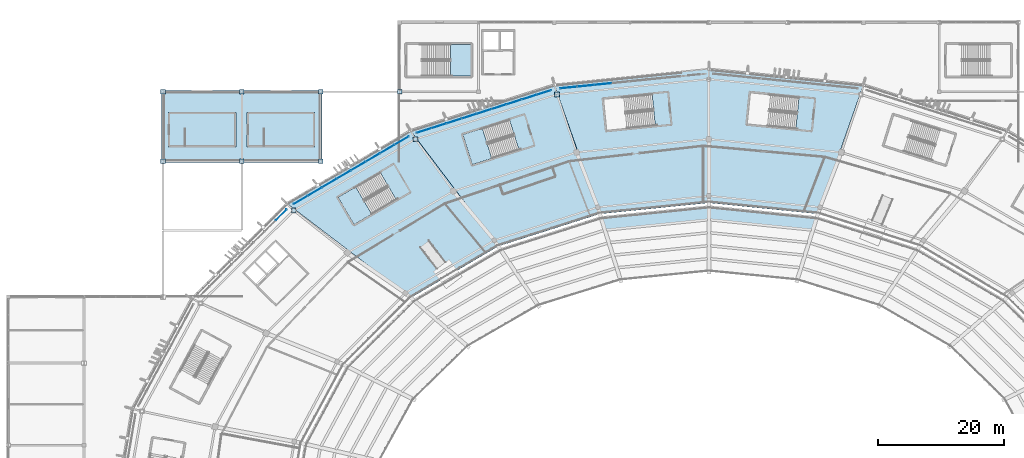
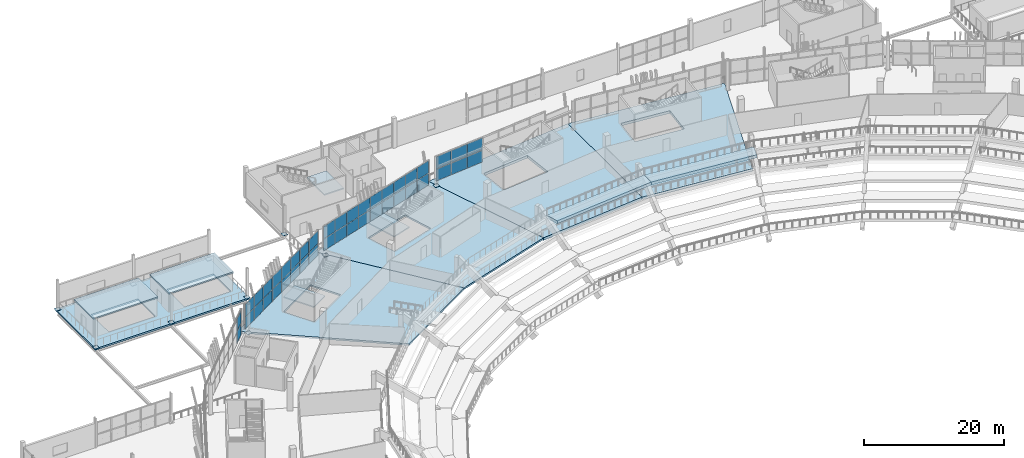
# One storey, part 100 of 178: 52 plates, 12 slabs, 7 elements without a shape of their own.
"""IFC4 building model written with IfcOpenShell, lengths in metres."""

from ifc_helpers import new_model, si_unit, direction, frame, origin, origin_2d, place, context, subcontext, project, spatial, polyline, rectangle, outline, extrude, material, layer, layer_set, type_object, element, aggregate, save


model = new_model("IFC4")

# Units and contexts
model_context = context("Model", 3, precision=1e-05, world=origin(), true_north=direction((0.0, 1.0)))
body_context = subcontext(model_context, "Body", "Model", "MODEL_VIEW")
ifc_project = project(units=[si_unit("LENGTHUNIT", "METRE"), si_unit("AREAUNIT", "SQUARE_METRE"), si_unit("VOLUMEUNIT", "CUBIC_METRE"), si_unit("PLANEANGLEUNIT", "RADIAN"), si_unit("MASSUNIT", "GRAM", prefix="KILO")], contexts=[model_context])

# Site, building, storey
site_placement = place(None, origin())
site = spatial("IfcSite", under=ifc_project, at=site_placement, CompositionType="ELEMENT")
building_placement = place(site_placement, origin())
building = spatial("IfcBuilding", under=site, at=building_placement, Name="Zlatoyarsky Gate Stadium", CompositionType="ELEMENT")
storey_placement = place(building_placement, frame((0.0, 0.0, 5.39990234375)))
storey = spatial("IfcBuildingStorey", under=building, at=storey_placement, Name="L01", CompositionType="ELEMENT", Elevation=5.39990234375)

# Curtain wall, plates
ifc_material_1 = material(Name="Thermally broken anodised aluminium curtain wall", Category="aluminium")
curtain_wall_type_1 = type_object("IfcCurtainWallType", Name="MONUMENTAL ARCHED GATE GLAZING LOWER", PredefinedType="USERDEFINED", material=ifc_material_1)
curtain_wall_1_placement = place(storey_placement, origin())
curtain_wall_1 = element("IfcCurtainWall", 1, at=curtain_wall_1_placement, inside=storey, type_object=curtain_wall_type_1, Name="Curtain wall CW-L01-06", ObjectType="ARCHED GATE GLAZING", PredefinedType="USERDEFINED")
ifc_material_2 = material(Name="Triple-glazed argon low-e architectural glass", Category="glass")
ifc_layer_1 = layer(ifc_material_2, 0.0458984375)
ifc_layer_set_1 = layer_set([ifc_layer_1], Name="Triple-glazed argon low-e architectural glass")
plate_type_1 = type_object("IfcPlateType", Name="ACOUSTIC LAMINATED GATE GLAZING PANEL 46", PredefinedType="CURTAIN_PANEL", material=ifc_layer_set_1)
plate_1_placement = place(storey_placement, frame((94.209716796875, 150.2158203125, 0.074951171875), z_axis=(0.0, 0.0, 1.0), x_axis=(-0.994956958498, -0.100302795257, 0.0)))
plate_1 = element("IfcPlate", 2, at=plate_1_placement, type_object=plate_type_1, Name="CW-AG1 panel 5.1", PredefinedType="CURTAIN_PANEL", context=body_context, shape_type="SweptSolid", body=[
    extrude(rectangle(XDim=2.686279296875, YDim=0.0458984375, at=origin_2d()), origin(), (0.0, 0.0, 1.0), 2.03759765625),
])
plate_2_placement = place(storey_placement, frame((94.209716796875, 150.2158203125, 2.1875), z_axis=(0.0, 0.0, 1.0), x_axis=(-0.994956958498, -0.100302795257, 0.0)))
plate_2 = element("IfcPlate", 3, at=plate_2_placement, type_object=plate_type_1, Name="CW-AG1 panel 5.2", PredefinedType="CURTAIN_PANEL", context=body_context, shape_type="SweptSolid", body=[
    extrude(rectangle(XDim=2.686279296875, YDim=0.0458984375, at=origin_2d()), origin(), (0.0, 0.0, 1.0), 2.137451171875),
])
plate_3_placement = place(storey_placement, frame((91.46240234375, 149.93896484375, 0.074951171875), z_axis=(0.0, 0.0, 1.0), x_axis=(-0.994956958498, -0.100302795257, 0.0)))
plate_3 = element("IfcPlate", 4, at=plate_3_placement, type_object=plate_type_1, Name="CW-AG1 panel 6.1", PredefinedType="CURTAIN_PANEL", context=body_context, shape_type="SweptSolid", body=[
    extrude(rectangle(XDim=2.686279296875, YDim=0.0458984375, at=origin_2d()), origin(), (0.0, 0.0, 1.0), 2.03759765625),
])
plate_4_placement = place(storey_placement, frame((91.46240234375, 149.93896484375, 2.1875), z_axis=(0.0, 0.0, 1.0), x_axis=(-0.994956958498, -0.100302795257, 0.0)))
plate_4 = element("IfcPlate", 5, at=plate_4_placement, type_object=plate_type_1, Name="CW-AG1 panel 6.2", PredefinedType="CURTAIN_PANEL", context=body_context, shape_type="SweptSolid", body=[
    extrude(rectangle(XDim=2.686279296875, YDim=0.0458984375, at=origin_2d()), origin(), (0.0, 0.0, 1.0), 2.137451171875),
])
plate_5_placement = place(storey_placement, frame((88.733642578125, 149.663818359375, 0.074951171875), z_axis=(0.0, 0.0, 1.0), x_axis=(-0.994956958498, -0.100302795257, 0.0)))
plate_5 = element("IfcPlate", 6, at=plate_5_placement, type_object=plate_type_1, Name="CW-AG1 panel 7.1", PredefinedType="CURTAIN_PANEL", context=body_context, shape_type="SweptSolid", body=[
    extrude(rectangle(XDim=2.648681640625, YDim=0.0458984375, at=origin_2d()), origin(), (0.0, 0.0, 1.0), 2.03759765625),
])
plate_6_placement = place(storey_placement, frame((88.733642578125, 149.663818359375, 2.1875), z_axis=(0.0, 0.0, 1.0), x_axis=(-0.994956958498, -0.100302795257, 0.0)))
plate_6 = element("IfcPlate", 7, at=plate_6_placement, type_object=plate_type_1, Name="CW-AG1 panel 7.2", PredefinedType="CURTAIN_PANEL", context=body_context, shape_type="SweptSolid", body=[
    extrude(rectangle(XDim=2.648681640625, YDim=0.0458984375, at=origin_2d()), origin(), (0.0, 0.0, 1.0), 2.137451171875),
])
aggregate(curtain_wall_1, [plate_1, plate_2, plate_3, plate_4, plate_5, plate_6])

# Slabs
ifc_material_3 = material(Name="Concrete C40/50", Category="concrete")
ifc_layer_2 = layer(ifc_material_3, 0.300048828125)
ifc_layer_set_2 = layer_set([ifc_layer_2], Name="Concrete C40/50")
slab_type_1 = type_object("IfcSlabType", Name="CONCRETE CONCOURSE SLAB 300", PredefinedType="FLOOR", material=ifc_layer_set_2)
slab_1_placement = place(storey_placement, frame((0.0, 0.0, -0.2998046875)))
element("IfcSlab", 8, at=slab_1_placement, inside=storey, type_object=slab_type_1, Name="L01 bowl sector 07 slab", PredefinedType="FLOOR", context=body_context, shape_type="SweptSolid", body=[
    extrude(outline(polyline([(77.60009765625, 124.513671875), (63.69580078125, 142.880859375), (86.513427734375, 150.134521484375), (93.7109375, 129.648681640625), (77.60009765625, 124.513671875)]), holes=[polyline([(79.39990234375, 144.562255859375), (72.0107421875, 142.2255859375), (73.518310546875, 137.458251953125), (80.90771484375, 139.794921875), (79.39990234375, 144.562255859375)])]), origin(), (0.0, 0.0, 1.0), 0.2998046875),
])
slab_2_placement = place(storey_placement, frame((0.0, 0.0, -0.2998046875)))
element("IfcSlab", 9, at=slab_2_placement, inside=storey, type_object=slab_type_1, Name="L01 bowl sector 08 slab", PredefinedType="FLOOR", context=body_context, shape_type="SweptSolid", body=[
    extrude(outline(polyline([(63.765380859375, 116.34521484375), (44.101806640625, 131.342041015625), (63.69580078125, 142.880859375), (77.60009765625, 124.513671875), (63.765380859375, 116.34521484375)]), holes=[polyline([(61.461669921875, 131.89013671875), (58.934326171875, 136.204345703125), (52.247314453125, 132.287109375), (54.774658203125, 127.972900390625), (61.461669921875, 131.89013671875)])]), origin(), (0.0, 0.0, 1.0), 0.2998046875),
])
slab_3_placement = place(storey_placement, frame((0.0, 0.0, -0.2998046875)))
element("IfcSlab", 10, at=slab_3_placement, inside=storey, type_object=slab_type_1, Name="L01 wing V6_NW slab", PredefinedType="FLOOR", context=body_context, shape_type="SweptSolid", body=[
    extrude(outline(polyline([(49.739990234375, 149.239990234375), (49.739990234375, 137.760009765625), (24.260009765625, 137.760009765625), (24.260009765625, 149.239990234375), (49.739990234375, 149.239990234375)]), holes=[polyline([(28.050048828125, 140.5), (35.800048828125, 140.5), (35.800048828125, 145.5), (28.050048828125, 145.5), (28.050048828125, 140.5)]), polyline([(48.300048828125, 140.5), (48.300048828125, 145.5), (40.550048828125, 145.5), (40.550048828125, 140.5), (48.300048828125, 140.5)])]), origin(), (0.0, 0.0, 1.0), 0.2998046875),
])
ifc_layer_3 = layer(ifc_material_3, 0.239990234375)
ifc_layer_set_3 = layer_set([ifc_layer_3], Name="Concrete C40/50")
slab_type_2 = type_object("IfcSlabType", Name="CONCRETE CORE TOP CAP SLAB 240", PredefinedType="ROOF", material=ifc_layer_set_3)
slab_4_placement = place(storey_placement, frame((0.0, 0.0, 3.2001953125)))
element("IfcSlab", 11, at=slab_4_placement, inside=storey, type_object=slab_type_2, Name="ST-25 stair headhouse roof cap", PredefinedType="ROOF", context=body_context, shape_type="SweptSolid", body=[
    extrude(outline(polyline([(25.35009765625, 140.25), (36.050048828125, 140.25), (36.050048828125, 145.75), (25.35009765625, 145.75), (25.35009765625, 140.25)])), origin(), (0.0, 0.0, 1.0), 0.239990234375),
])
slab_5_placement = place(storey_placement, frame((0.0, 0.0, 3.2001953125)))
element("IfcSlab", 12, at=slab_5_placement, inside=storey, type_object=slab_type_2, Name="ST-26 stair headhouse roof cap", PredefinedType="ROOF", context=body_context, shape_type="SweptSolid", body=[
    extrude(outline(polyline([(37.85009765625, 140.25), (48.550048828125, 140.25), (48.550048828125, 145.75), (37.85009765625, 145.75), (37.85009765625, 140.25)])), origin(), (0.0, 0.0, 1.0), 0.239990234375),
])
ifc_layer_4 = layer(ifc_material_3, 0.4599609375)
ifc_layer_set_4 = layer_set([ifc_layer_4], Name="Concrete C40/50")
slab_type_3 = type_object("IfcSlabType", Name="CONCRETE PORTAL TRANSFER SLAB 460", PredefinedType="USERDEFINED", material=ifc_layer_set_4)
slab_6_placement = place(storey_placement, frame((0.0, 0.0, -0.4599609375)))
element("IfcSlab", 13, at=slab_6_placement, inside=storey, type_object=slab_type_3, Name="L01 bowl sector 05 slab", ObjectType="TRANSFER SLAB", PredefinedType="USERDEFINED", context=body_context, shape_type="SweptSolid", body=[
    extrude(outline(polyline([(111.0, 131.39990234375), (111.0, 152.6083984375), (135.486572265625, 150.134521484375), (128.2890625, 129.648681640625), (111.0, 131.39990234375)]), holes=[polyline([(125.26953125, 148.0908203125), (117.558349609375, 148.865966796875), (117.058349609375, 143.890869140625), (124.76953125, 143.115966796875), (125.26953125, 148.0908203125)])]), origin(), (0.0, 0.0, 1.0), 0.4599609375),
])
slab_7_placement = place(storey_placement, frame((0.0, 0.0, -0.4599609375)))
element("IfcSlab", 14, at=slab_7_placement, inside=storey, type_object=slab_type_3, Name="L01 bowl sector 06 slab", ObjectType="TRANSFER SLAB", PredefinedType="USERDEFINED", context=body_context, shape_type="SweptSolid", body=[
    extrude(outline(polyline([(93.7109375, 129.648681640625), (86.513427734375, 150.134521484375), (111.0, 152.6083984375), (111.0, 131.39990234375), (93.7109375, 129.648681640625)]), holes=[polyline([(102.50390625, 143.64599609375), (102.00390625, 148.620849609375), (94.292724609375, 147.845703125), (94.792724609375, 142.870849609375), (102.50390625, 143.64599609375)])]), origin(), (0.0, 0.0, 1.0), 0.4599609375),
])

# Stair, slab
stair_type = type_object("IfcStairType", Name="CONCRETE DOGLEG EXIT STAIR H5200", PredefinedType="TWO_STRAIGHT_RUN_STAIR", material=ifc_material_3)
stair_1_placement = place(storey_placement, origin())
stair_1 = element("IfcStair", 15, at=stair_1_placement, inside=storey, type_object=stair_type, Name="L01 Exit Stair ST-05", PredefinedType="TWO_STRAIGHT_RUN_STAIR")
ifc_layer_5 = layer(ifc_material_3, 0.199951171875)
ifc_layer_set_5 = layer_set([ifc_layer_5], Name="Concrete C40/50")
slab_type_4 = type_object("IfcSlabType", Name="CONCRETE STAIR LANDING SLAB 200", PredefinedType="LANDING", material=ifc_layer_set_5)
slab_8_placement = place(storey_placement, frame((0.0, 0.0, 2.400146484375)))
slab_8 = element("IfcSlab", 16, at=slab_8_placement, type_object=slab_type_4, Name="ST-DG52 landing 1", PredefinedType="LANDING", context=body_context, shape_type="SweptSolid", body=[
    extrude(outline(polyline([(55.051513671875, 133.929931640625), (52.247314453125, 132.287109375), (54.774658203125, 127.972900390625), (57.578857421875, 129.615478515625), (55.051513671875, 133.929931640625)])), origin(), (0.0, 0.0, 1.0), 0.199951171875),
])
aggregate(stair_1, [slab_8])

stair_2_placement = place(storey_placement, origin())
stair_2 = element("IfcStair", 17, at=stair_2_placement, inside=storey, type_object=stair_type, Name="L01 Exit Stair ST-14", PredefinedType="TWO_STRAIGHT_RUN_STAIR")
slab_9_placement = place(storey_placement, frame((0.0, 0.0, 2.400146484375)))
slab_9 = element("IfcSlab", 18, at=slab_9_placement, type_object=slab_type_4, Name="ST-DG52 landing 1", PredefinedType="LANDING", context=body_context, shape_type="SweptSolid", body=[
    extrude(outline(polyline([(75.109375, 143.205322265625), (72.0107421875, 142.2255859375), (73.518310546875, 137.458251953125), (76.616943359375, 138.43798828125), (75.109375, 143.205322265625)])), origin(), (0.0, 0.0, 1.0), 0.199951171875),
])
aggregate(stair_2, [slab_9])

stair_3_placement = place(storey_placement, origin())
stair_3 = element("IfcStair", 19, at=stair_3_placement, inside=storey, type_object=stair_type, Name="L01 Exit Stair ST-31", PredefinedType="TWO_STRAIGHT_RUN_STAIR")
slab_10_placement = place(storey_placement, frame((0.0, 0.0, 2.400146484375)))
slab_10 = element("IfcSlab", 20, at=slab_10_placement, type_object=slab_type_4, Name="ST-DG52 landing 1", PredefinedType="LANDING", context=body_context, shape_type="SweptSolid", body=[
    extrude(outline(polyline([(70.050048828125, 151.5), (73.300048828125, 151.5), (73.300048828125, 156.5), (70.050048828125, 156.5), (70.050048828125, 151.5)])), origin(), (0.0, 0.0, 1.0), 0.199951171875),
])
aggregate(stair_3, [slab_10])

# Slabs
ifc_material_4 = material(Name="Precast concrete C40/50", Category="concrete")
ifc_layer_6 = layer(ifc_material_4, 0.52001953125)
ifc_layer_set_6 = layer_set([ifc_layer_6], Name="Precast concrete C40/50")
slab_type_5 = type_object("IfcSlabType", Name="PRECAST LOWER SEATING TIER UNIT 520", PredefinedType="USERDEFINED", material=ifc_layer_set_6)
slab_11_placement = place(storey_placement, frame((0.0, 0.0, 3.72998046875)))
element("IfcSlab", 21, at=slab_11_placement, inside=storey, type_object=slab_type_5, Name="Lower seating tier sector 05 row 5", ObjectType="SEATING TIER", PredefinedType="USERDEFINED", context=body_context, shape_type="SweptSolid", body=[
    extrude(outline(polyline([(127.502197265625, 127.0791015625), (128.1337890625, 129.069091796875), (111.0, 130.800048828125), (111.0, 128.739990234375), (127.502197265625, 127.0791015625)])), origin(), (0.0, 0.0, 1.0), 0.52001953125),
])
slab_12_placement = place(storey_placement, frame((0.0, 0.0, 3.72998046875)))
element("IfcSlab", 22, at=slab_12_placement, inside=storey, type_object=slab_type_5, Name="Lower seating tier sector 06 row 5", ObjectType="SEATING TIER", PredefinedType="USERDEFINED", context=body_context, shape_type="SweptSolid", body=[
    extrude(outline(polyline([(111.0, 128.739990234375), (111.0, 130.800048828125), (93.8662109375, 129.069091796875), (94.497802734375, 127.0791015625), (111.0, 128.739990234375)])), origin(), (0.0, 0.0, 1.0), 0.52001953125),
])

# Plates
ifc_material_5 = material(Name="Steel S355", Category="steel")
ifc_layer_7 = layer(ifc_material_5, 0.0400390625)
ifc_layer_set_7 = layer_set([ifc_layer_7], Name="Steel S355")
plate_type_2 = type_object("IfcPlateType", Name="STEEL COLUMN BASE PLATE 40", PredefinedType="USERDEFINED", material=ifc_layer_set_7)
for number, where, z_axis, x_axis, name in (
    (23, (86.9296875, 148.580810546875, 0.0), (0.0, 0.0, 1.0), (1.0, 0.0, 0.0), "Column base plate BP-01 at RC-07 L01"),
    (24, (64.5, 141.48779296875, 0.0), (0.0, 0.0, 1.0), (1.0, 0.0, 0.0), "Column base plate BP-01 at RC-08 L01"),
    (25, (45.239013671875, 130.20458984375, 0.0), (0.0, 0.0, 1.0), (1.0, 0.0, 0.0), "Column base plate BP-01 at RC-09 L01"),
    (26, (24.5, 138.0, 0.0), (0.0, 0.0, 1.0), (1.0, 0.0, 0.0), "Column base plate BP-01 at WG-3-N L01"),
    (27, (24.5, 149.0, 0.0), (0.0, 0.0, 1.0), (1.0, 0.0, 0.0), "Column base plate BP-01 at WG-3-P L01"),
    (28, (37.0, 138.0, 0.0), (0.0, 0.0, 1.0), (1.0, 0.0, 0.0), "Column base plate BP-01 at WG-4-N L01"),
    (29, (37.0, 149.0, 0.0), (0.0, 0.0, 1.0), (1.0, 0.0, 0.0), "Column base plate BP-01 at WG-4-P L01"),
    (30, (49.5, 138.0, 0.0), (0.0, 0.0, 1.0), (1.0, 0.0, 0.0), "Column base plate BP-01 at WG-5-N L01"),
    (31, (49.5, 149.0, 0.0), (0.0, 0.0, 1.0), (1.0, 0.0, 0.0), "Column base plate BP-01 at WG-5-P L01"),
    (32, (62.0, 149.0, 0.0), (0.0, 0.0, 1.0), (1.0, 0.0, 0.0), "Column base plate BP-01 at WG-6-P L01"),
):
    element("IfcPlate", number, at=place(storey_placement, frame(where, z_axis=z_axis, x_axis=x_axis)), inside=storey, type_object=plate_type_2, Name=name, ObjectType="BASE PLATE", PredefinedType="USERDEFINED", context=body_context, shape_type="SweptSolid", body=[
        extrude(rectangle(XDim=0.75, YDim=0.75, at=origin_2d()), origin(), (0.0, 0.0, 1.0), 0.0400390625),
    ])

# Curtain wall, plates
curtain_wall_type_2 = type_object("IfcCurtainWallType", Name="UNITISED HOSPITALITY GLAZING L01", PredefinedType="USERDEFINED", material=ifc_material_1)
curtain_wall_2_placement = place(storey_placement, origin())
curtain_wall_2 = element("IfcCurtainWall", 33, at=curtain_wall_2_placement, inside=storey, type_object=curtain_wall_type_2, Name="Curtain wall CW-L01-07", ObjectType="UNITISED GLAZING", PredefinedType="USERDEFINED")
ifc_layer_8 = layer(ifc_material_2, 0.0380859375)
ifc_layer_set_8 = layer_set([ifc_layer_8], Name="Triple-glazed argon low-e architectural glass")
plate_type_3 = type_object("IfcPlateType", Name="TRIPLE GLAZED LOW E CURTAIN PANEL 38", PredefinedType="CURTAIN_PANEL", material=ifc_layer_set_8)
plate_7_placement = place(storey_placement, frame((84.8701171875, 148.879638671875, 0.06494140625), z_axis=(0.0, 0.0, 1.0), x_axis=(-0.953201662764, -0.302335228022, 0.0)))
plate_7 = element("IfcPlate", 34, at=plate_7_placement, type_object=plate_type_3, Name="CW-UG1 panel 1.1", PredefinedType="CURTAIN_PANEL", context=body_context, shape_type="SweptSolid", body=[
    extrude(rectangle(XDim=2.398193359375, YDim=0.0380859375, at=origin_2d()), origin(), (0.0, 0.0, 1.0), 2.052490234375),
])
plate_8_placement = place(storey_placement, frame((84.8701171875, 148.879638671875, 2.1826171875), z_axis=(0.0, 0.0, 1.0), x_axis=(-0.953201662764, -0.302335228022, 0.0)))
plate_8 = element("IfcPlate", 35, at=plate_8_placement, type_object=plate_type_3, Name="CW-UG1 panel 1.2", PredefinedType="CURTAIN_PANEL", context=body_context, shape_type="SweptSolid", body=[
    extrude(rectangle(XDim=2.398193359375, YDim=0.0380859375, at=origin_2d()), origin(), (0.0, 0.0, 1.0), 2.152587890625),
])
plate_9_placement = place(storey_placement, frame((82.5068359375, 148.130126953125, 0.06494140625), z_axis=(0.0, 0.0, 1.0), x_axis=(-0.953201662764, -0.302335228022, 0.0)))
plate_9 = element("IfcPlate", 36, at=plate_9_placement, type_object=plate_type_3, Name="CW-UG1 panel 2.1", PredefinedType="CURTAIN_PANEL", context=body_context, shape_type="SweptSolid", body=[
    extrude(rectangle(XDim=2.4306640625, YDim=0.0380859375, at=origin_2d()), origin(), (0.0, 0.0, 1.0), 2.052490234375),
])
plate_10_placement = place(storey_placement, frame((82.5068359375, 148.130126953125, 2.1826171875), z_axis=(0.0, 0.0, 1.0), x_axis=(-0.953201662764, -0.302335228022, 0.0)))
plate_10 = element("IfcPlate", 37, at=plate_10_placement, type_object=plate_type_3, Name="CW-UG1 panel 2.2", PredefinedType="CURTAIN_PANEL", context=body_context, shape_type="SweptSolid", body=[
    extrude(rectangle(XDim=2.4306640625, YDim=0.0380859375, at=origin_2d()), origin(), (0.0, 0.0, 1.0), 2.152587890625),
])
plate_11_placement = place(storey_placement, frame((80.1279296875, 147.37548828125, 0.06494140625), z_axis=(0.0, 0.0, 1.0), x_axis=(-0.953201662764, -0.302335228022, 0.0)))
plate_11 = element("IfcPlate", 38, at=plate_11_placement, type_object=plate_type_3, Name="CW-UG1 panel 3.1", PredefinedType="CURTAIN_PANEL", context=body_context, shape_type="SweptSolid", body=[
    extrude(rectangle(XDim=2.4306640625, YDim=0.0380859375, at=origin_2d()), origin(), (0.0, 0.0, 1.0), 2.052490234375),
])
plate_12_placement = place(storey_placement, frame((80.1279296875, 147.37548828125, 2.1826171875), z_axis=(0.0, 0.0, 1.0), x_axis=(-0.953201662764, -0.302335228022, 0.0)))
plate_12 = element("IfcPlate", 39, at=plate_12_placement, type_object=plate_type_3, Name="CW-UG1 panel 3.2", PredefinedType="CURTAIN_PANEL", context=body_context, shape_type="SweptSolid", body=[
    extrude(rectangle(XDim=2.4306640625, YDim=0.0380859375, at=origin_2d()), origin(), (0.0, 0.0, 1.0), 2.152587890625),
])
plate_13_placement = place(storey_placement, frame((77.7490234375, 146.62109375, 0.06494140625), z_axis=(0.0, 0.0, 1.0), x_axis=(-0.953201662764, -0.302335228022, 0.0)))
plate_13 = element("IfcPlate", 40, at=plate_13_placement, type_object=plate_type_3, Name="CW-UG1 panel 4.1", PredefinedType="CURTAIN_PANEL", context=body_context, shape_type="SweptSolid", body=[
    extrude(rectangle(XDim=2.4306640625, YDim=0.0380859375, at=origin_2d()), origin(), (0.0, 0.0, 1.0), 2.052490234375),
])
plate_14_placement = place(storey_placement, frame((77.7490234375, 146.62109375, 2.1826171875), z_axis=(0.0, 0.0, 1.0), x_axis=(-0.953201662764, -0.302335228022, 0.0)))
plate_14 = element("IfcPlate", 41, at=plate_14_placement, type_object=plate_type_3, Name="CW-UG1 panel 4.2", PredefinedType="CURTAIN_PANEL", context=body_context, shape_type="SweptSolid", body=[
    extrude(rectangle(XDim=2.4306640625, YDim=0.0380859375, at=origin_2d()), origin(), (0.0, 0.0, 1.0), 2.152587890625),
])
plate_15_placement = place(storey_placement, frame((75.370361328125, 145.866455078125, 0.06494140625), z_axis=(0.0, 0.0, 1.0), x_axis=(-0.953201662764, -0.302335228022, 0.0)))
plate_15 = element("IfcPlate", 42, at=plate_15_placement, type_object=plate_type_3, Name="CW-UG1 panel 5.1", PredefinedType="CURTAIN_PANEL", context=body_context, shape_type="SweptSolid", body=[
    extrude(rectangle(XDim=2.4306640625, YDim=0.0380859375, at=origin_2d()), origin(), (0.0, 0.0, 1.0), 2.052490234375),
])
plate_16_placement = place(storey_placement, frame((75.370361328125, 145.866455078125, 2.1826171875), z_axis=(0.0, 0.0, 1.0), x_axis=(-0.953201662764, -0.302335228022, 0.0)))
plate_16 = element("IfcPlate", 43, at=plate_16_placement, type_object=plate_type_3, Name="CW-UG1 panel 5.2", PredefinedType="CURTAIN_PANEL", context=body_context, shape_type="SweptSolid", body=[
    extrude(rectangle(XDim=2.4306640625, YDim=0.0380859375, at=origin_2d()), origin(), (0.0, 0.0, 1.0), 2.152587890625),
])
plate_17_placement = place(storey_placement, frame((72.991455078125, 145.11181640625, 0.06494140625), z_axis=(0.0, 0.0, 1.0), x_axis=(-0.953201662764, -0.302335228022, 0.0)))
plate_17 = element("IfcPlate", 44, at=plate_17_placement, type_object=plate_type_3, Name="CW-UG1 panel 6.1", PredefinedType="CURTAIN_PANEL", context=body_context, shape_type="SweptSolid", body=[
    extrude(rectangle(XDim=2.4306640625, YDim=0.0380859375, at=origin_2d()), origin(), (0.0, 0.0, 1.0), 2.052490234375),
])
plate_18_placement = place(storey_placement, frame((72.991455078125, 145.11181640625, 2.1826171875), z_axis=(0.0, 0.0, 1.0), x_axis=(-0.953201662764, -0.302335228022, 0.0)))
plate_18 = element("IfcPlate", 45, at=plate_18_placement, type_object=plate_type_3, Name="CW-UG1 panel 6.2", PredefinedType="CURTAIN_PANEL", context=body_context, shape_type="SweptSolid", body=[
    extrude(rectangle(XDim=2.4306640625, YDim=0.0380859375, at=origin_2d()), origin(), (0.0, 0.0, 1.0), 2.152587890625),
])
plate_19_placement = place(storey_placement, frame((70.612548828125, 144.357421875, 0.06494140625), z_axis=(0.0, 0.0, 1.0), x_axis=(-0.953201662764, -0.302335228022, 0.0)))
plate_19 = element("IfcPlate", 46, at=plate_19_placement, type_object=plate_type_3, Name="CW-UG1 panel 7.1", PredefinedType="CURTAIN_PANEL", context=body_context, shape_type="SweptSolid", body=[
    extrude(rectangle(XDim=2.4306640625, YDim=0.0380859375, at=origin_2d()), origin(), (0.0, 0.0, 1.0), 2.052490234375),
])
plate_20_placement = place(storey_placement, frame((70.612548828125, 144.357421875, 2.1826171875), z_axis=(0.0, 0.0, 1.0), x_axis=(-0.953201662764, -0.302335228022, 0.0)))
plate_20 = element("IfcPlate", 47, at=plate_20_placement, type_object=plate_type_3, Name="CW-UG1 panel 7.2", PredefinedType="CURTAIN_PANEL", context=body_context, shape_type="SweptSolid", body=[
    extrude(rectangle(XDim=2.4306640625, YDim=0.0380859375, at=origin_2d()), origin(), (0.0, 0.0, 1.0), 2.152587890625),
])
plate_21_placement = place(storey_placement, frame((68.233642578125, 143.602783203125, 0.06494140625), z_axis=(0.0, 0.0, 1.0), x_axis=(-0.953201662764, -0.302335228022, 0.0)))
plate_21 = element("IfcPlate", 48, at=plate_21_placement, type_object=plate_type_3, Name="CW-UG1 panel 8.1", PredefinedType="CURTAIN_PANEL", context=body_context, shape_type="SweptSolid", body=[
    extrude(rectangle(XDim=2.4306640625, YDim=0.0380859375, at=origin_2d()), origin(), (0.0, 0.0, 1.0), 2.052490234375),
])
plate_22_placement = place(storey_placement, frame((68.233642578125, 143.602783203125, 2.1826171875), z_axis=(0.0, 0.0, 1.0), x_axis=(-0.953201662764, -0.302335228022, 0.0)))
plate_22 = element("IfcPlate", 49, at=plate_22_placement, type_object=plate_type_3, Name="CW-UG1 panel 8.2", PredefinedType="CURTAIN_PANEL", context=body_context, shape_type="SweptSolid", body=[
    extrude(rectangle(XDim=2.4306640625, YDim=0.0380859375, at=origin_2d()), origin(), (0.0, 0.0, 1.0), 2.152587890625),
])
plate_23_placement = place(storey_placement, frame((65.870361328125, 142.853271484375, 0.06494140625), z_axis=(0.0, 0.0, 1.0), x_axis=(-0.953201662764, -0.302335228022, 0.0)))
plate_23 = element("IfcPlate", 50, at=plate_23_placement, type_object=plate_type_3, Name="CW-UG1 panel 9.1", PredefinedType="CURTAIN_PANEL", context=body_context, shape_type="SweptSolid", body=[
    extrude(rectangle(XDim=2.398193359375, YDim=0.0380859375, at=origin_2d()), origin(), (0.0, 0.0, 1.0), 2.052490234375),
])
plate_24_placement = place(storey_placement, frame((65.870361328125, 142.853271484375, 2.1826171875), z_axis=(0.0, 0.0, 1.0), x_axis=(-0.953201662764, -0.302335228022, 0.0)))
plate_24 = element("IfcPlate", 51, at=plate_24_placement, type_object=plate_type_3, Name="CW-UG1 panel 9.2", PredefinedType="CURTAIN_PANEL", context=body_context, shape_type="SweptSolid", body=[
    extrude(rectangle(XDim=2.398193359375, YDim=0.0380859375, at=origin_2d()), origin(), (0.0, 0.0, 1.0), 2.152587890625),
])
aggregate(curtain_wall_2, [plate_7, plate_8, plate_9, plate_10, plate_11, plate_12, plate_13, plate_14, plate_15, plate_16, plate_17, plate_18, plate_19, plate_20, plate_21, plate_22, plate_23, plate_24])

curtain_wall_3_placement = place(storey_placement, origin())
curtain_wall_3 = element("IfcCurtainWall", 52, at=curtain_wall_3_placement, inside=storey, type_object=curtain_wall_type_2, Name="Curtain wall CW-L01-08", ObjectType="UNITISED GLAZING", PredefinedType="USERDEFINED")
plate_25_placement = place(storey_placement, frame((62.325927734375, 141.263916015625, 0.06494140625), z_axis=(0.0, 0.0, 1.0), x_axis=(-0.862188057798, -0.506588346679, 0.0)))
plate_25 = element("IfcPlate", 53, at=plate_25_placement, type_object=plate_type_3, Name="CW-UG1 panel 1.1", PredefinedType="CURTAIN_PANEL", context=body_context, shape_type="SweptSolid", body=[
    extrude(rectangle(XDim=2.559814453125, YDim=0.0380859375, at=origin_2d()), origin(), (0.0, 0.0, 1.0), 2.052490234375),
])
plate_26_placement = place(storey_placement, frame((62.325927734375, 141.263916015625, 2.1826171875), z_axis=(0.0, 0.0, 1.0), x_axis=(-0.862188057798, -0.506588346679, 0.0)))
plate_26 = element("IfcPlate", 54, at=plate_26_placement, type_object=plate_type_3, Name="CW-UG1 panel 1.2", PredefinedType="CURTAIN_PANEL", context=body_context, shape_type="SweptSolid", body=[
    extrude(rectangle(XDim=2.559814453125, YDim=0.0380859375, at=origin_2d()), origin(), (0.0, 0.0, 1.0), 2.152587890625),
])
plate_27_placement = place(storey_placement, frame((60.048828125, 139.926025390625, 0.06494140625), z_axis=(0.0, 0.0, 1.0), x_axis=(-0.862188057798, -0.506588346679, 0.0)))
plate_27 = element("IfcPlate", 55, at=plate_27_placement, type_object=plate_type_3, Name="CW-UG1 panel 2.1", PredefinedType="CURTAIN_PANEL", context=body_context, shape_type="SweptSolid", body=[
    extrude(rectangle(XDim=2.59228515625, YDim=0.0380859375, at=origin_2d()), origin(), (0.0, 0.0, 1.0), 2.052490234375),
])
plate_28_placement = place(storey_placement, frame((60.048828125, 139.926025390625, 2.1826171875), z_axis=(0.0, 0.0, 1.0), x_axis=(-0.862188057798, -0.506588346679, 0.0)))
plate_28 = element("IfcPlate", 56, at=plate_28_placement, type_object=plate_type_3, Name="CW-UG1 panel 2.2", PredefinedType="CURTAIN_PANEL", context=body_context, shape_type="SweptSolid", body=[
    extrude(rectangle(XDim=2.59228515625, YDim=0.0380859375, at=origin_2d()), origin(), (0.0, 0.0, 1.0), 2.152587890625),
])
plate_29_placement = place(storey_placement, frame((57.7578125, 138.580078125, 0.06494140625), z_axis=(0.0, 0.0, 1.0), x_axis=(-0.862188057798, -0.506588346679, 0.0)))
plate_29 = element("IfcPlate", 57, at=plate_29_placement, type_object=plate_type_3, Name="CW-UG1 panel 3.1", PredefinedType="CURTAIN_PANEL", context=body_context, shape_type="SweptSolid", body=[
    extrude(rectangle(XDim=2.59228515625, YDim=0.0380859375, at=origin_2d()), origin(), (0.0, 0.0, 1.0), 2.052490234375),
])
plate_30_placement = place(storey_placement, frame((57.7578125, 138.580078125, 2.1826171875), z_axis=(0.0, 0.0, 1.0), x_axis=(-0.862188057798, -0.506588346679, 0.0)))
plate_30 = element("IfcPlate", 58, at=plate_30_placement, type_object=plate_type_3, Name="CW-UG1 panel 3.2", PredefinedType="CURTAIN_PANEL", context=body_context, shape_type="SweptSolid", body=[
    extrude(rectangle(XDim=2.59228515625, YDim=0.0380859375, at=origin_2d()), origin(), (0.0, 0.0, 1.0), 2.152587890625),
])
plate_31_placement = place(storey_placement, frame((55.466796875, 137.23388671875, 0.06494140625), z_axis=(0.0, 0.0, 1.0), x_axis=(-0.862188057798, -0.506588346679, 0.0)))
plate_31 = element("IfcPlate", 59, at=plate_31_placement, type_object=plate_type_3, Name="CW-UG1 panel 4.1", PredefinedType="CURTAIN_PANEL", context=body_context, shape_type="SweptSolid", body=[
    extrude(rectangle(XDim=2.59228515625, YDim=0.0380859375, at=origin_2d()), origin(), (0.0, 0.0, 1.0), 2.052490234375),
])
plate_32_placement = place(storey_placement, frame((55.466796875, 137.23388671875, 2.1826171875), z_axis=(0.0, 0.0, 1.0), x_axis=(-0.862188057798, -0.506588346679, 0.0)))
plate_32 = element("IfcPlate", 60, at=plate_32_placement, type_object=plate_type_3, Name="CW-UG1 panel 4.2", PredefinedType="CURTAIN_PANEL", context=body_context, shape_type="SweptSolid", body=[
    extrude(rectangle(XDim=2.59228515625, YDim=0.0380859375, at=origin_2d()), origin(), (0.0, 0.0, 1.0), 2.152587890625),
])
plate_33_placement = place(storey_placement, frame((53.17578125, 135.8876953125, 0.06494140625), z_axis=(0.0, 0.0, 1.0), x_axis=(-0.862188057798, -0.506588346679, 0.0)))
plate_33 = element("IfcPlate", 61, at=plate_33_placement, type_object=plate_type_3, Name="CW-UG1 panel 5.1", PredefinedType="CURTAIN_PANEL", context=body_context, shape_type="SweptSolid", body=[
    extrude(rectangle(XDim=2.59228515625, YDim=0.0380859375, at=origin_2d()), origin(), (0.0, 0.0, 1.0), 2.052490234375),
])
plate_34_placement = place(storey_placement, frame((53.17578125, 135.8876953125, 2.1826171875), z_axis=(0.0, 0.0, 1.0), x_axis=(-0.862188057798, -0.506588346679, 0.0)))
plate_34 = element("IfcPlate", 62, at=plate_34_placement, type_object=plate_type_3, Name="CW-UG1 panel 5.2", PredefinedType="CURTAIN_PANEL", context=body_context, shape_type="SweptSolid", body=[
    extrude(rectangle(XDim=2.59228515625, YDim=0.0380859375, at=origin_2d()), origin(), (0.0, 0.0, 1.0), 2.152587890625),
])
plate_35_placement = place(storey_placement, frame((50.884765625, 134.54150390625, 0.06494140625), z_axis=(0.0, 0.0, 1.0), x_axis=(-0.862188057798, -0.506588346679, 0.0)))
plate_35 = element("IfcPlate", 63, at=plate_35_placement, type_object=plate_type_3, Name="CW-UG1 panel 6.1", PredefinedType="CURTAIN_PANEL", context=body_context, shape_type="SweptSolid", body=[
    extrude(rectangle(XDim=2.59228515625, YDim=0.0380859375, at=origin_2d()), origin(), (0.0, 0.0, 1.0), 2.052490234375),
])
plate_36_placement = place(storey_placement, frame((50.884765625, 134.54150390625, 2.1826171875), z_axis=(0.0, 0.0, 1.0), x_axis=(-0.862188057798, -0.506588346679, 0.0)))
plate_36 = element("IfcPlate", 64, at=plate_36_placement, type_object=plate_type_3, Name="CW-UG1 panel 6.2", PredefinedType="CURTAIN_PANEL", context=body_context, shape_type="SweptSolid", body=[
    extrude(rectangle(XDim=2.59228515625, YDim=0.0380859375, at=origin_2d()), origin(), (0.0, 0.0, 1.0), 2.152587890625),
])
plate_37_placement = place(storey_placement, frame((48.59375, 133.195556640625, 0.06494140625), z_axis=(0.0, 0.0, 1.0), x_axis=(-0.862188057798, -0.506588346679, 0.0)))
plate_37 = element("IfcPlate", 65, at=plate_37_placement, type_object=plate_type_3, Name="CW-UG1 panel 7.1", PredefinedType="CURTAIN_PANEL", context=body_context, shape_type="SweptSolid", body=[
    extrude(rectangle(XDim=2.59228515625, YDim=0.0380859375, at=origin_2d()), origin(), (0.0, 0.0, 1.0), 2.052490234375),
])
plate_38_placement = place(storey_placement, frame((48.59375, 133.195556640625, 2.1826171875), z_axis=(0.0, 0.0, 1.0), x_axis=(-0.862188057798, -0.506588346679, 0.0)))
plate_38 = element("IfcPlate", 66, at=plate_38_placement, type_object=plate_type_3, Name="CW-UG1 panel 7.2", PredefinedType="CURTAIN_PANEL", context=body_context, shape_type="SweptSolid", body=[
    extrude(rectangle(XDim=2.59228515625, YDim=0.0380859375, at=origin_2d()), origin(), (0.0, 0.0, 1.0), 2.152587890625),
])
plate_39_placement = place(storey_placement, frame((46.316650390625, 131.857666015625, 0.06494140625), z_axis=(0.0, 0.0, 1.0), x_axis=(-0.862188057798, -0.506588346679, 0.0)))
plate_39 = element("IfcPlate", 67, at=plate_39_placement, type_object=plate_type_3, Name="CW-UG1 panel 8.1", PredefinedType="CURTAIN_PANEL", context=body_context, shape_type="SweptSolid", body=[
    extrude(rectangle(XDim=2.559814453125, YDim=0.0380859375, at=origin_2d()), origin(), (0.0, 0.0, 1.0), 2.052490234375),
])
plate_40_placement = place(storey_placement, frame((46.316650390625, 131.857666015625, 2.1826171875), z_axis=(0.0, 0.0, 1.0), x_axis=(-0.862188057798, -0.506588346679, 0.0)))
plate_40 = element("IfcPlate", 68, at=plate_40_placement, type_object=plate_type_3, Name="CW-UG1 panel 8.2", PredefinedType="CURTAIN_PANEL", context=body_context, shape_type="SweptSolid", body=[
    extrude(rectangle(XDim=2.559814453125, YDim=0.0380859375, at=origin_2d()), origin(), (0.0, 0.0, 1.0), 2.152587890625),
])
aggregate(curtain_wall_3, [plate_25, plate_26, plate_27, plate_28, plate_29, plate_30, plate_31, plate_32, plate_33, plate_34, plate_35, plate_36, plate_37, plate_38, plate_39, plate_40])

curtain_wall_4_placement = place(storey_placement, origin())
curtain_wall_4 = element("IfcCurtainWall", 69, at=curtain_wall_4_placement, inside=storey, type_object=curtain_wall_type_2, Name="Curtain wall CW-L01-09", ObjectType="UNITISED GLAZING", PredefinedType="USERDEFINED")
plate_41_placement = place(storey_placement, frame((43.249755859375, 129.5029296875, 0.06494140625), z_axis=(0.0, 0.0, 1.0), x_axis=(-0.707841859523, -0.706370937898, 0.0)))
plate_41 = element("IfcPlate", 70, at=plate_41_placement, type_object=plate_type_3, Name="CW-UG1 panel 1.1", PredefinedType="CURTAIN_PANEL", context=body_context, shape_type="SweptSolid", body=[
    extrude(rectangle(XDim=2.37548828125, YDim=0.0380859375, at=origin_2d()), origin(), (0.0, 0.0, 1.0), 2.052490234375),
])
plate_42_placement = place(storey_placement, frame((43.249755859375, 129.5029296875, 2.1826171875), z_axis=(0.0, 0.0, 1.0), x_axis=(-0.707841859523, -0.706370937898, 0.0)))
plate_42 = element("IfcPlate", 71, at=plate_42_placement, type_object=plate_type_3, Name="CW-UG1 panel 1.2", PredefinedType="CURTAIN_PANEL", context=body_context, shape_type="SweptSolid", body=[
    extrude(rectangle(XDim=2.37548828125, YDim=0.0380859375, at=origin_2d()), origin(), (0.0, 0.0, 1.0), 2.152587890625),
])
aggregate(curtain_wall_4, [plate_41, plate_42])

save(model, "model.ifc")
